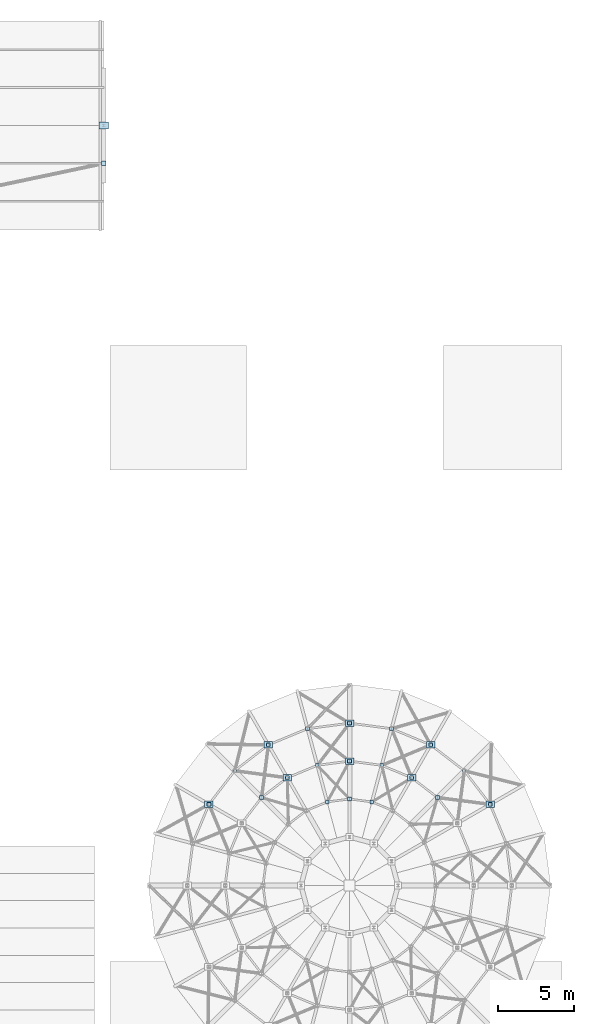
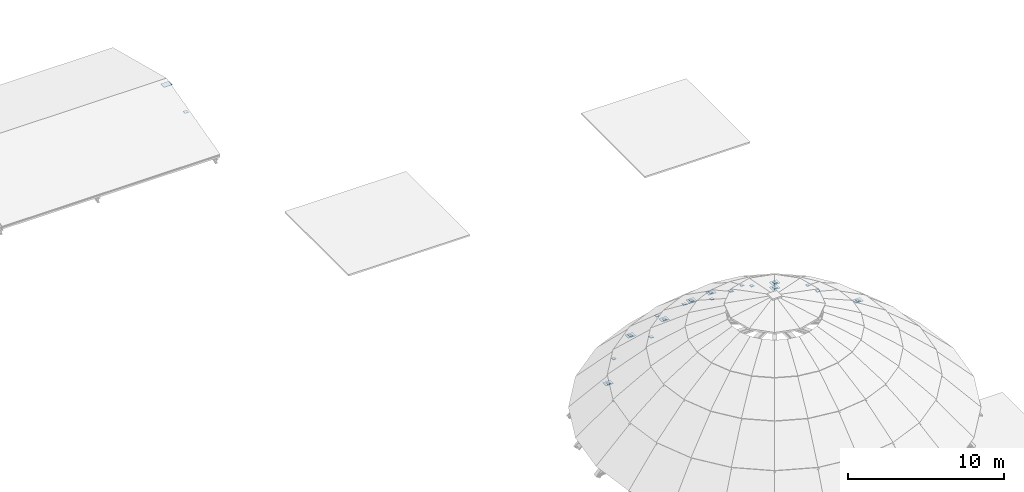
# One storey, part 27 of 31: 29 plates.
"""IFC4 building model written with IfcOpenShell, lengths in metres."""

from ifc_helpers import new_model, si_unit, direction, frame, origin, origin_2d, place, context, subcontext, project, spatial, rectangle, extrude, material, layer, layer_set, type_object, element, save


model = new_model("IFC4")

# Units and contexts
model_context = context("Model", 3, precision=1e-05, world=origin(), true_north=direction((0.0, 1.0)))
body_context = subcontext(model_context, "Body", "Model", "MODEL_VIEW")
ifc_project = project(units=[si_unit("LENGTHUNIT", "METRE"), si_unit("AREAUNIT", "SQUARE_METRE"), si_unit("VOLUMEUNIT", "CUBIC_METRE"), si_unit("PLANEANGLEUNIT", "RADIAN"), si_unit("MASSUNIT", "GRAM", prefix="KILO")], contexts=[model_context])

# Site, building, storey
site_placement = place(None, origin())
site = spatial("IfcSite", under=ifc_project, at=site_placement, CompositionType="ELEMENT")
building_placement = place(site_placement, origin())
building = spatial("IfcBuilding", under=site, at=building_placement, Name="Clarverna Civic Hall", CompositionType="ELEMENT")
storey_placement = place(building_placement, frame((0.0, 0.0, 31.199951171875)))
storey = spatial("IfcBuildingStorey", under=building, at=storey_placement, Name="RF", CompositionType="ELEMENT", Elevation=31.199951171875)

# Plates
ifc_material = material(Name="Steel S355", Category="steel")
ifc_layer_1 = layer(ifc_material, 0.02197265625)
ifc_layer_set_1 = layer_set([ifc_layer_1], Name="Steel S355")
plate_type_1 = type_object("IfcPlateType", Name="NP-02", PredefinedType="SHEET", material=ifc_layer_set_1)
for number, where, z_axis, x_axis, name in (
    (1, (92.06640625, 64.35009765625, -8.10986328125), (0.0, 0.0, 1.0), (1.0, 0.0, 0.0), "NP-02-002"),
    (2, (88.14990234375, 68.2666015625, -8.10986328125), (0.0, 0.0, 1.0), (1.0, 0.0, 0.0), "NP-02-003"),
    (3, (82.800048828125, 69.699951171875, -8.10986328125), (0.0, 0.0, 1.0), (1.0, 0.0, 0.0), "NP-02-004"),
    (4, (77.449951171875, 68.2666015625, -8.10986328125), (0.0, 0.0, 1.0), (1.0, 0.0, 0.0), "NP-02-005"),
    (5, (73.533447265625, 64.35009765625, -8.10986328125), (0.0, 0.0, 1.0), (1.0, 0.0, 0.0), "NP-02-006"),
    (6, (86.89990234375, 66.101318359375, -5.9599609375), (0.0, 0.0, 1.0), (1.0, 0.0, 0.0), "NP-02-015"),
    (7, (82.800048828125, 67.199951171875, -5.9599609375), (0.0, 0.0, 1.0), (1.0, 0.0, 0.0), "NP-02-016"),
    (8, (78.699951171875, 66.101318359375, -5.9599609375), (0.0, 0.0, 1.0), (1.0, 0.0, 0.0), "NP-02-017"),
):
    element("IfcPlate", number, at=place(storey_placement, frame(where, z_axis=z_axis, x_axis=x_axis)), inside=storey, type_object=plate_type_1, Name=name, PredefinedType="SHEET", context=body_context, shape_type="SweptSolid", body=[
        extrude(rectangle(XDim=0.56005859375, YDim=0.43994140625, at=origin_2d()), origin(), (0.0, 0.0, 1.0), 0.02490234375),
    ])
ifc_layer_2 = layer(ifc_material, 0.02001953125)
ifc_layer_set_2 = layer_set([ifc_layer_2], Name="Steel S355")
plate_type_2 = type_object("IfcPlateType", Name="NP-04", PredefinedType="SHEET", material=ifc_layer_set_2)
for number, where, z_axis, x_axis, name in (
    (9, (90.365966796875, 66.56591796875, -8.10986328125), (0.0, 0.0, 1.0), (1.0, 0.0, 0.0), "NP-04-029"),
    (10, (92.06640625, 64.35009765625, -8.10986328125), (0.0, 0.0, 1.0), (1.0, 0.0, 0.0), "NP-04-030"),
    (11, (85.5693359375, 69.33544921875, -8.10986328125), (0.0, 0.0, 1.0), (1.0, 0.0, 0.0), "NP-04-031"),
    (12, (88.14990234375, 68.2666015625, -8.10986328125), (0.0, 0.0, 1.0), (1.0, 0.0, 0.0), "NP-04-032"),
    (13, (80.030517578125, 69.33544921875, -8.10986328125), (0.0, 0.0, 1.0), (1.0, 0.0, 0.0), "NP-04-033"),
    (14, (82.800048828125, 69.699951171875, -8.10986328125), (0.0, 0.0, 1.0), (1.0, 0.0, 0.0), "NP-04-034"),
    (15, (75.23388671875, 66.56591796875, -8.10986328125), (0.0, 0.0, 1.0), (1.0, 0.0, 0.0), "NP-04-035"),
    (16, (77.449951171875, 68.2666015625, -8.10986328125), (0.0, 0.0, 1.0), (1.0, 0.0, 0.0), "NP-04-036"),
    (17, (73.533447265625, 64.35009765625, -8.10986328125), (0.0, 0.0, 1.0), (1.0, 0.0, 0.0), "NP-04-038"),
    (18, (88.598388671875, 64.79833984375, -5.9599609375), (0.0, 0.0, 1.0), (1.0, 0.0, 0.0), "NP-04-053"),
    (19, (84.92236328125, 66.920654296875, -5.9599609375), (0.0, 0.0, 1.0), (1.0, 0.0, 0.0), "NP-04-055"),
    (20, (86.89990234375, 66.101318359375, -5.9599609375), (0.0, 0.0, 1.0), (1.0, 0.0, 0.0), "NP-04-056"),
    (21, (80.677734375, 66.920654296875, -5.9599609375), (0.0, 0.0, 1.0), (1.0, 0.0, 0.0), "NP-04-057"),
    (22, (82.800048828125, 67.199951171875, -5.9599609375), (0.0, 0.0, 1.0), (1.0, 0.0, 0.0), "NP-04-058"),
    (23, (77.001708984375, 64.79833984375, -5.9599609375), (0.0, 0.0, 1.0), (1.0, 0.0, 0.0), "NP-04-059"),
    (24, (78.699951171875, 66.101318359375, -5.9599609375), (0.0, 0.0, 1.0), (1.0, 0.0, 0.0), "NP-04-060"),
    (25, (84.275390625, 64.505859375, -4.31005859375), (0.0, 0.0, 1.0), (1.0, 0.0, 0.0), "NP-04-079"),
    (26, (81.32470703125, 64.505859375, -4.31005859375), (0.0, 0.0, 1.0), (1.0, 0.0, 0.0), "NP-04-081"),
    (27, (82.800048828125, 64.699951171875, -4.31005859375), (0.0, 0.0, 1.0), (1.0, 0.0, 0.0), "NP-04-082"),
):
    element("IfcPlate", number, at=place(storey_placement, frame(where, z_axis=z_axis, x_axis=x_axis)), inside=storey, type_object=plate_type_2, Name=name, PredefinedType="SHEET", context=body_context, shape_type="SweptSolid", body=[
        extrude(rectangle(XDim=0.239990234375, YDim=0.239990234375, at=origin_2d()), origin(), (0.0, 0.0, 1.0), 0.02001953125),
    ])
ifc_layer_3 = layer(ifc_material, 0.02001953125)
ifc_layer_set_3 = layer_set([ifc_layer_3], Name="Steel S355")
plate_type_3 = type_object("IfcPlateType", Name="NP-05", PredefinedType="SHEET", material=ifc_layer_set_3)
plate_1_placement = place(storey_placement, frame((66.60009765625, 106.60009765625, -10.02197265625), z_axis=(0.0, 0.0, 1.0), x_axis=(1.0, 0.0, 0.0)))
element("IfcPlate", 28, at=plate_1_placement, inside=storey, type_object=plate_type_3, Name="NP-05-016", PredefinedType="SHEET", context=body_context, shape_type="SweptSolid", body=[
    extrude(rectangle(XDim=0.280029296875, YDim=0.280029296875, at=origin_2d()), origin(), (0.0, 0.0, 1.0), 0.02001953125),
])
ifc_layer_4 = layer(ifc_material, 0.02392578125)
ifc_layer_set_4 = layer_set([ifc_layer_4], Name="Steel S355")
plate_type_4 = type_object("IfcPlateType", Name="NP-08", PredefinedType="SHEET", material=ifc_layer_set_4)
plate_2_placement = place(storey_placement, frame((66.60009765625, 109.10009765625, -9.38525390625), z_axis=(0.0, 0.0, 1.0), x_axis=(1.0, 0.0, 0.0)))
element("IfcPlate", 29, at=plate_2_placement, inside=storey, type_object=plate_type_4, Name="NP-08-009", PredefinedType="SHEET", context=body_context, shape_type="SweptSolid", body=[
    extrude(rectangle(XDim=0.6201171875, YDim=0.4599609375, at=origin_2d()), origin(), (0.0, 0.0, 1.0), 0.030029296875),
])

save(model, "model.ifc")
